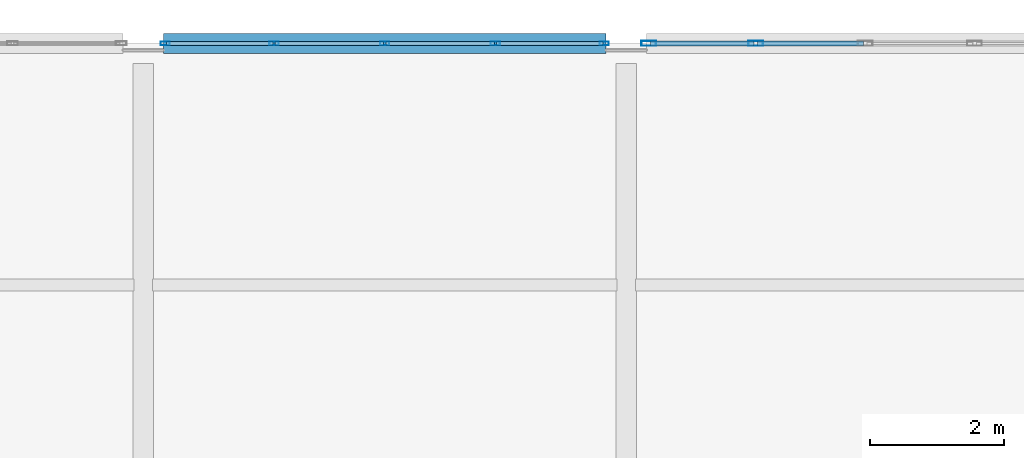
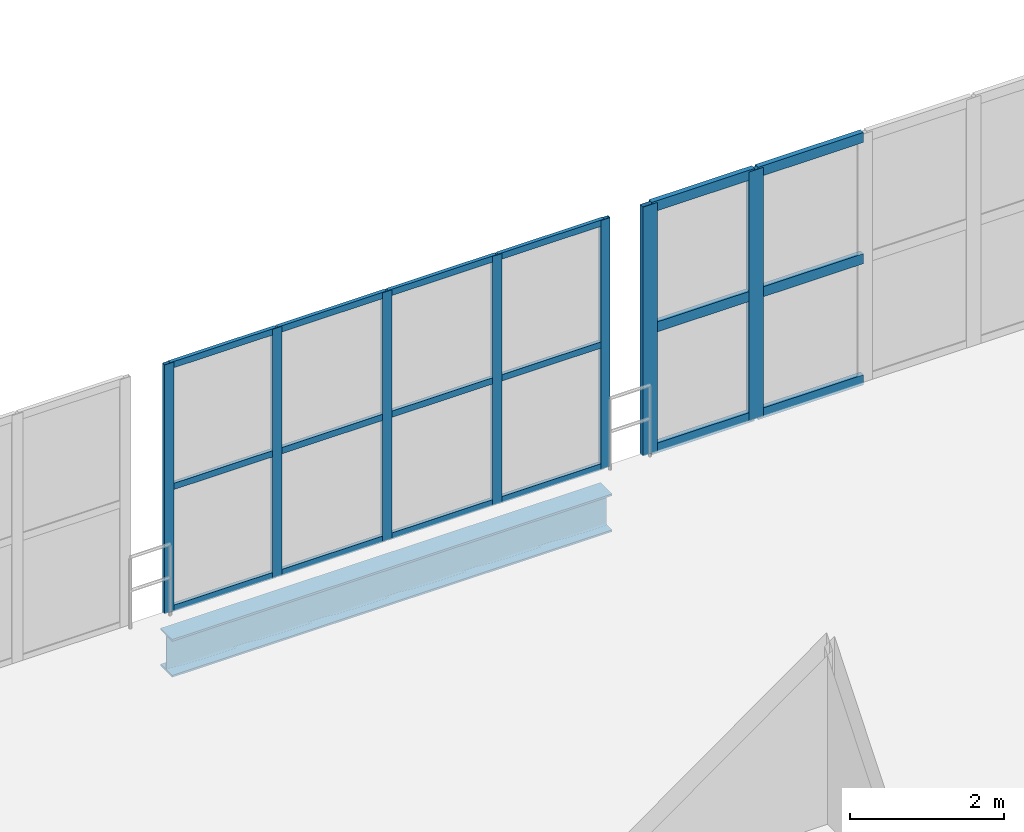
# One storey, part 110 of 153: 25 members, 1 beam, 2 elements without a shape of their own.
"""IFC4 building model written with IfcOpenShell, lengths in metres."""

from ifc_helpers import new_model, si_unit, direction, frame, origin, origin_2d, place, context, subcontext, project, spatial, hollow_rectangle, i_section, extrude, material, material_profile, profile_set, type_object, element, aggregate, save


model = new_model("IFC4")

# Units and contexts
model_context = context("Model", 3, precision=1e-05, world=origin(), true_north=direction((0.0, 1.0)))
body_context = subcontext(model_context, "Body", "Model", "MODEL_VIEW")
ifc_project = project(units=[si_unit("LENGTHUNIT", "METRE"), si_unit("AREAUNIT", "SQUARE_METRE"), si_unit("VOLUMEUNIT", "CUBIC_METRE"), si_unit("PLANEANGLEUNIT", "RADIAN"), si_unit("MASSUNIT", "GRAM", prefix="KILO")], contexts=[model_context])

# Site, building, storey
site_placement = place(None, origin())
site = spatial("IfcSite", under=ifc_project, at=site_placement, CompositionType="ELEMENT")
building_placement = place(site_placement, origin())
building = spatial("IfcBuilding", under=site, at=building_placement, Name="Qandorah Velis Arena", CompositionType="ELEMENT")
storey_placement = place(building_placement, frame((0.0, 0.0, 5.39990234375)))
storey = spatial("IfcBuildingStorey", under=building, at=storey_placement, Name="L01", CompositionType="ELEMENT", Elevation=5.39990234375)

# Curtain wall, members
ifc_material_1 = material(Name="Solar-control low-E double glazing", Category="glass")
curtain_wall_type_1 = type_object("IfcCurtainWallType", Name="ARC-CW-SYS08", PredefinedType="USERDEFINED", material=ifc_material_1)
curtain_wall_1_placement = place(storey_placement, origin())
curtain_wall_1 = element("IfcCurtainWall", 1, at=curtain_wall_1_placement, inside=storey, type_object=curtain_wall_type_1, Name="Unitised curtain wall L01-080", ObjectType="UNITISED CURTAIN WALL", PredefinedType="USERDEFINED")
ifc_material_2 = material(Name="Champagne-bronze anodized aluminium 6063-T6", Category="aluminium")
ifc_material_profile_1 = material_profile(ifc_material_2, hollow_rectangle(XDim=0.054931640625, YDim=0.139892578125, WallThickness=0.0029296875, at=origin_2d()), Name="ALU MULLION 55x140")
ifc_profile_set_1 = profile_set([ifc_material_profile_1], Name="Champagne-bronze anodized aluminium 6063-T6")
member_type_1 = type_object("IfcMemberType", Name="ARC-CWM-140", PredefinedType="MULLION", material=ifc_profile_set_1)
member_1_placement = place(storey_placement, frame((14.7275390625, 129.60009765625, -0.014892578125), z_axis=(0.0, 0.0, 1.0), x_axis=(0.0, 1.0, 0.0)))
member_1 = element("IfcMember", 2, at=member_1_placement, type_object=member_type_1, Name="CW08 mullion 1", PredefinedType="MULLION", context=body_context, shape_type="SweptSolid", body=[
    extrude(hollow_rectangle(XDim=0.054931640625, YDim=0.139892578125, WallThickness=0.0029296875, at=origin_2d()), origin(), (0.0, 0.0, 1.0), 3.949951171875),
])
member_2_placement = place(storey_placement, frame((16.35009765625, 129.60009765625, -0.014892578125), z_axis=(0.0, 0.0, 1.0), x_axis=(0.0, 1.0, 0.0)))
member_2 = element("IfcMember", 3, at=member_2_placement, type_object=member_type_1, Name="CW08 mullion 2", PredefinedType="MULLION", context=body_context, shape_type="SweptSolid", body=[
    extrude(hollow_rectangle(XDim=0.054931640625, YDim=0.139892578125, WallThickness=0.0029296875, at=origin_2d()), origin(), (0.0, 0.0, 1.0), 3.949951171875),
])
member_3_placement = place(storey_placement, frame((18.0, 129.60009765625, -0.014892578125), z_axis=(0.0, 0.0, 1.0), x_axis=(0.0, 1.0, 0.0)))
member_3 = element("IfcMember", 4, at=member_3_placement, type_object=member_type_1, Name="CW08 mullion 3", PredefinedType="MULLION", context=body_context, shape_type="SweptSolid", body=[
    extrude(hollow_rectangle(XDim=0.054931640625, YDim=0.139892578125, WallThickness=0.0029296875, at=origin_2d()), origin(), (0.0, 0.0, 1.0), 3.949951171875),
])
member_4_placement = place(storey_placement, frame((19.64990234375, 129.60009765625, -0.014892578125), z_axis=(0.0, 0.0, 1.0), x_axis=(0.0, 1.0, 0.0)))
member_4 = element("IfcMember", 5, at=member_4_placement, type_object=member_type_1, Name="CW08 mullion 4", PredefinedType="MULLION", context=body_context, shape_type="SweptSolid", body=[
    extrude(hollow_rectangle(XDim=0.054931640625, YDim=0.139892578125, WallThickness=0.0029296875, at=origin_2d()), origin(), (0.0, 0.0, 1.0), 3.949951171875),
])
member_5_placement = place(storey_placement, frame((21.2724609375, 129.60009765625, -0.014892578125), z_axis=(0.0, 0.0, 1.0), x_axis=(0.0, 1.0, 0.0)))
member_5 = element("IfcMember", 6, at=member_5_placement, type_object=member_type_1, Name="CW08 mullion 5", PredefinedType="MULLION", context=body_context, shape_type="SweptSolid", body=[
    extrude(hollow_rectangle(XDim=0.054931640625, YDim=0.139892578125, WallThickness=0.0029296875, at=origin_2d()), origin(), (0.0, 0.0, 1.0), 3.949951171875),
])

curtain_wall_type_2 = type_object("IfcCurtainWallType", Name="ARC-CW-SYS09", PredefinedType="USERDEFINED", material=ifc_material_1)
curtain_wall_2_placement = place(storey_placement, origin())
curtain_wall_2 = element("IfcCurtainWall", 7, at=curtain_wall_2_placement, inside=storey, type_object=curtain_wall_type_2, Name="Unitised curtain wall L01-081", ObjectType="UNITISED CURTAIN WALL", PredefinedType="USERDEFINED")
ifc_material_profile_2 = material_profile(ifc_material_2, hollow_rectangle(XDim=0.074951171875, YDim=0.219970703125, WallThickness=0.00390625, at=origin_2d()), Name="ALU MULLION 75x220")
ifc_profile_set_2 = profile_set([ifc_material_profile_2], Name="Champagne-bronze anodized aluminium 6063-T6")
member_type_2 = type_object("IfcMemberType", Name="ARC-CWM-220", PredefinedType="MULLION", material=ifc_profile_set_2)
member_6_placement = place(storey_placement, frame((21.9375, 129.60009765625, -0.014892578125), z_axis=(0.0, 0.0, 1.0), x_axis=(0.0, 1.0, 0.0)))
member_6 = element("IfcMember", 8, at=member_6_placement, type_object=member_type_2, Name="CW09 mullion 1", PredefinedType="MULLION", context=body_context, shape_type="SweptSolid", body=[
    extrude(hollow_rectangle(XDim=0.074951171875, YDim=0.219970703125, WallThickness=0.00390625, at=origin_2d()), origin(), (0.0, 0.0, 1.0), 3.949951171875),
])
member_7_placement = place(storey_placement, frame((23.53125, 129.60009765625, -0.014892578125), z_axis=(0.0, 0.0, 1.0), x_axis=(0.0, 1.0, 0.0)))
member_7 = element("IfcMember", 9, at=member_7_placement, type_object=member_type_2, Name="CW09 mullion 2", PredefinedType="MULLION", context=body_context, shape_type="SweptSolid", body=[
    extrude(hollow_rectangle(XDim=0.074951171875, YDim=0.219970703125, WallThickness=0.00390625, at=origin_2d()), origin(), (0.0, 0.0, 1.0), 3.949951171875),
])

# Member
ifc_material_profile_3 = material_profile(ifc_material_2, hollow_rectangle(XDim=0.054931640625, YDim=0.10009765625, WallThickness=0.0029296875, at=origin_2d()), Name="ALU TRANSOM 55x100")
ifc_profile_set_3 = profile_set([ifc_material_profile_3], Name="Champagne-bronze anodized aluminium 6063-T6")
member_type_3 = type_object("IfcMemberType", Name="ARC-CWT-100", PredefinedType="USERDEFINED", material=ifc_profile_set_3)
member_8_placement = place(storey_placement, frame((14.742919921875, 129.60009765625, 0.027587890625), z_axis=(1.0, 0.0, 0.0), x_axis=(0.0, 1.0, 0.0)))
member_8 = element("IfcMember", 10, at=member_8_placement, type_object=member_type_3, Name="CW08 transom 1.1", ObjectType="TRANSOM", PredefinedType="USERDEFINED", context=body_context, shape_type="SweptSolid", body=[
    extrude(hollow_rectangle(XDim=0.054931640625, YDim=0.10009765625, WallThickness=0.0029296875, at=origin_2d()), origin(), (0.0, 0.0, 1.0), 1.591552734375),
])

member_9_placement = place(storey_placement, frame((14.742919921875, 129.60009765625, 1.960205078125), z_axis=(1.0, 0.0, 0.0), x_axis=(0.0, 1.0, 0.0)))
member_9 = element("IfcMember", 11, at=member_9_placement, type_object=member_type_3, Name="CW08 transom 1.2", ObjectType="TRANSOM", PredefinedType="USERDEFINED", context=body_context, shape_type="SweptSolid", body=[
    extrude(hollow_rectangle(XDim=0.054931640625, YDim=0.10009765625, WallThickness=0.0029296875, at=origin_2d()), origin(), (0.0, 0.0, 1.0), 1.591552734375),
])

member_10_placement = place(storey_placement, frame((14.742919921875, 129.60009765625, 3.892578125), z_axis=(1.0, 0.0, 0.0), x_axis=(0.0, 1.0, 0.0)))
member_10 = element("IfcMember", 12, at=member_10_placement, type_object=member_type_3, Name="CW08 transom 1.3", ObjectType="TRANSOM", PredefinedType="USERDEFINED", context=body_context, shape_type="SweptSolid", body=[
    extrude(hollow_rectangle(XDim=0.054931640625, YDim=0.10009765625, WallThickness=0.0029296875, at=origin_2d()), origin(), (0.0, 0.0, 1.0), 1.591552734375),
])

member_11_placement = place(storey_placement, frame((16.365478515625, 129.60009765625, 0.027587890625), z_axis=(1.0, 0.0, 0.0), x_axis=(0.0, 1.0, 0.0)))
member_11 = element("IfcMember", 13, at=member_11_placement, type_object=member_type_3, Name="CW08 transom 2.1", ObjectType="TRANSOM", PredefinedType="USERDEFINED", context=body_context, shape_type="SweptSolid", body=[
    extrude(hollow_rectangle(XDim=0.054931640625, YDim=0.10009765625, WallThickness=0.0029296875, at=origin_2d()), origin(), (0.0, 0.0, 1.0), 1.619140625),
])

member_12_placement = place(storey_placement, frame((16.365478515625, 129.60009765625, 1.960205078125), z_axis=(1.0, 0.0, 0.0), x_axis=(0.0, 1.0, 0.0)))
member_12 = element("IfcMember", 14, at=member_12_placement, type_object=member_type_3, Name="CW08 transom 2.2", ObjectType="TRANSOM", PredefinedType="USERDEFINED", context=body_context, shape_type="SweptSolid", body=[
    extrude(hollow_rectangle(XDim=0.054931640625, YDim=0.10009765625, WallThickness=0.0029296875, at=origin_2d()), origin(), (0.0, 0.0, 1.0), 1.619140625),
])

member_13_placement = place(storey_placement, frame((16.365478515625, 129.60009765625, 3.892578125), z_axis=(1.0, 0.0, 0.0), x_axis=(0.0, 1.0, 0.0)))
member_13 = element("IfcMember", 15, at=member_13_placement, type_object=member_type_3, Name="CW08 transom 2.3", ObjectType="TRANSOM", PredefinedType="USERDEFINED", context=body_context, shape_type="SweptSolid", body=[
    extrude(hollow_rectangle(XDim=0.054931640625, YDim=0.10009765625, WallThickness=0.0029296875, at=origin_2d()), origin(), (0.0, 0.0, 1.0), 1.619140625),
])

member_14_placement = place(storey_placement, frame((18.015380859375, 129.60009765625, 0.027587890625), z_axis=(1.0, 0.0, 0.0), x_axis=(0.0, 1.0, 0.0)))
member_14 = element("IfcMember", 16, at=member_14_placement, type_object=member_type_3, Name="CW08 transom 3.1", ObjectType="TRANSOM", PredefinedType="USERDEFINED", context=body_context, shape_type="SweptSolid", body=[
    extrude(hollow_rectangle(XDim=0.054931640625, YDim=0.10009765625, WallThickness=0.0029296875, at=origin_2d()), origin(), (0.0, 0.0, 1.0), 1.619140625),
])

member_15_placement = place(storey_placement, frame((18.015380859375, 129.60009765625, 1.960205078125), z_axis=(1.0, 0.0, 0.0), x_axis=(0.0, 1.0, 0.0)))
member_15 = element("IfcMember", 17, at=member_15_placement, type_object=member_type_3, Name="CW08 transom 3.2", ObjectType="TRANSOM", PredefinedType="USERDEFINED", context=body_context, shape_type="SweptSolid", body=[
    extrude(hollow_rectangle(XDim=0.054931640625, YDim=0.10009765625, WallThickness=0.0029296875, at=origin_2d()), origin(), (0.0, 0.0, 1.0), 1.619140625),
])

member_16_placement = place(storey_placement, frame((18.015380859375, 129.60009765625, 3.892578125), z_axis=(1.0, 0.0, 0.0), x_axis=(0.0, 1.0, 0.0)))
member_16 = element("IfcMember", 18, at=member_16_placement, type_object=member_type_3, Name="CW08 transom 3.3", ObjectType="TRANSOM", PredefinedType="USERDEFINED", context=body_context, shape_type="SweptSolid", body=[
    extrude(hollow_rectangle(XDim=0.054931640625, YDim=0.10009765625, WallThickness=0.0029296875, at=origin_2d()), origin(), (0.0, 0.0, 1.0), 1.619140625),
])

member_17_placement = place(storey_placement, frame((19.66552734375, 129.60009765625, 0.027587890625), z_axis=(1.0, 0.0, 0.0), x_axis=(0.0, 1.0, 0.0)))
member_17 = element("IfcMember", 19, at=member_17_placement, type_object=member_type_3, Name="CW08 transom 4.1", ObjectType="TRANSOM", PredefinedType="USERDEFINED", context=body_context, shape_type="SweptSolid", body=[
    extrude(hollow_rectangle(XDim=0.054931640625, YDim=0.10009765625, WallThickness=0.0029296875, at=origin_2d()), origin(), (0.0, 0.0, 1.0), 1.591552734375),
])

member_18_placement = place(storey_placement, frame((19.66552734375, 129.60009765625, 1.960205078125), z_axis=(1.0, 0.0, 0.0), x_axis=(0.0, 1.0, 0.0)))
member_18 = element("IfcMember", 20, at=member_18_placement, type_object=member_type_3, Name="CW08 transom 4.2", ObjectType="TRANSOM", PredefinedType="USERDEFINED", context=body_context, shape_type="SweptSolid", body=[
    extrude(hollow_rectangle(XDim=0.054931640625, YDim=0.10009765625, WallThickness=0.0029296875, at=origin_2d()), origin(), (0.0, 0.0, 1.0), 1.591552734375),
])

member_19_placement = place(storey_placement, frame((19.66552734375, 129.60009765625, 3.892578125), z_axis=(1.0, 0.0, 0.0), x_axis=(0.0, 1.0, 0.0)))
member_19 = element("IfcMember", 21, at=member_19_placement, type_object=member_type_3, Name="CW08 transom 4.3", ObjectType="TRANSOM", PredefinedType="USERDEFINED", context=body_context, shape_type="SweptSolid", body=[
    extrude(hollow_rectangle(XDim=0.054931640625, YDim=0.10009765625, WallThickness=0.0029296875, at=origin_2d()), origin(), (0.0, 0.0, 1.0), 1.591552734375),
])

aggregate(curtain_wall_1, [member_1, member_2, member_3, member_4, member_5, member_8, member_9, member_10, member_11, member_12, member_13, member_14, member_15, member_16, member_17, member_18, member_19])

ifc_material_profile_4 = material_profile(ifc_material_2, hollow_rectangle(XDim=0.074951171875, YDim=0.159912109375, WallThickness=0.00341796875, at=origin_2d()), Name="ALU TRANSOM 75x160")
ifc_profile_set_4 = profile_set([ifc_material_profile_4], Name="Champagne-bronze anodized aluminium 6063-T6")
member_type_4 = type_object("IfcMemberType", Name="ARC-CWT-160", PredefinedType="USERDEFINED", material=ifc_profile_set_4)
member_20_placement = place(storey_placement, frame((21.962890625, 129.60009765625, 0.03759765625), z_axis=(1.0, 0.0, 0.0), x_axis=(0.0, 1.0, 0.0)))
member_20 = element("IfcMember", 22, at=member_20_placement, type_object=member_type_4, Name="CW09 transom 1.1", ObjectType="TRANSOM", PredefinedType="USERDEFINED", context=body_context, shape_type="SweptSolid", body=[
    extrude(hollow_rectangle(XDim=0.074951171875, YDim=0.159912109375, WallThickness=0.00341796875, at=origin_2d()), origin(), (0.0, 0.0, 1.0), 1.542724609375),
])

member_21_placement = place(storey_placement, frame((21.962890625, 129.60009765625, 1.960205078125), z_axis=(1.0, 0.0, 0.0), x_axis=(0.0, 1.0, 0.0)))
member_21 = element("IfcMember", 23, at=member_21_placement, type_object=member_type_4, Name="CW09 transom 1.2", ObjectType="TRANSOM", PredefinedType="USERDEFINED", context=body_context, shape_type="SweptSolid", body=[
    extrude(hollow_rectangle(XDim=0.074951171875, YDim=0.159912109375, WallThickness=0.00341796875, at=origin_2d()), origin(), (0.0, 0.0, 1.0), 1.542724609375),
])

member_22_placement = place(storey_placement, frame((21.962890625, 129.60009765625, 3.882568359375), z_axis=(1.0, 0.0, 0.0), x_axis=(0.0, 1.0, 0.0)))
member_22 = element("IfcMember", 24, at=member_22_placement, type_object=member_type_4, Name="CW09 transom 1.3", ObjectType="TRANSOM", PredefinedType="USERDEFINED", context=body_context, shape_type="SweptSolid", body=[
    extrude(hollow_rectangle(XDim=0.074951171875, YDim=0.159912109375, WallThickness=0.00341796875, at=origin_2d()), origin(), (0.0, 0.0, 1.0), 1.542724609375),
])

member_23_placement = place(storey_placement, frame((23.556640625, 129.60009765625, 0.03759765625), z_axis=(1.0, 0.0, 0.0), x_axis=(0.0, 1.0, 0.0)))
member_23 = element("IfcMember", 25, at=member_23_placement, type_object=member_type_4, Name="CW09 transom 2.1", ObjectType="TRANSOM", PredefinedType="USERDEFINED", context=body_context, shape_type="SweptSolid", body=[
    extrude(hollow_rectangle(XDim=0.074951171875, YDim=0.159912109375, WallThickness=0.00341796875, at=origin_2d()), origin(), (0.0, 0.0, 1.0), 1.580322265625),
])

member_24_placement = place(storey_placement, frame((23.556640625, 129.60009765625, 1.960205078125), z_axis=(1.0, 0.0, 0.0), x_axis=(0.0, 1.0, 0.0)))
member_24 = element("IfcMember", 26, at=member_24_placement, type_object=member_type_4, Name="CW09 transom 2.2", ObjectType="TRANSOM", PredefinedType="USERDEFINED", context=body_context, shape_type="SweptSolid", body=[
    extrude(hollow_rectangle(XDim=0.074951171875, YDim=0.159912109375, WallThickness=0.00341796875, at=origin_2d()), origin(), (0.0, 0.0, 1.0), 1.580322265625),
])

member_25_placement = place(storey_placement, frame((23.556640625, 129.60009765625, 3.882568359375), z_axis=(1.0, 0.0, 0.0), x_axis=(0.0, 1.0, 0.0)))
member_25 = element("IfcMember", 27, at=member_25_placement, type_object=member_type_4, Name="CW09 transom 2.3", ObjectType="TRANSOM", PredefinedType="USERDEFINED", context=body_context, shape_type="SweptSolid", body=[
    extrude(hollow_rectangle(XDim=0.074951171875, YDim=0.159912109375, WallThickness=0.00341796875, at=origin_2d()), origin(), (0.0, 0.0, 1.0), 1.580322265625),
])

aggregate(curtain_wall_2, [member_6, member_7, member_20, member_21, member_22, member_23, member_24, member_25])

# Beam
ifc_material_3 = material(Name="Steel S355", Category="steel")
ifc_material_profile_5 = material_profile(ifc_material_3, i_section(OverallWidth=0.300048828125, OverallDepth=0.60009765625, WebThickness=0.015380859375, FlangeThickness=0.030029296875, FilletRadius=0.027099609375, at=origin_2d()), Name="HEB 600")
ifc_profile_set_5 = profile_set([ifc_material_profile_5], Name="Steel S355")
beam_type = type_object("IfcBeamType", Name="STR-BM-HEB600", PredefinedType="BEAM", material=ifc_profile_set_5)
beam_placement = place(storey_placement, frame((14.699951171875, 129.60009765625, -0.659912109375), z_axis=(1.0, 0.0, 0.0), x_axis=(0.0, 1.0, 0.0)))
element("IfcBeam", 28, at=beam_placement, inside=storey, type_object=beam_type, Name="Primary floor girder L01 X-206", PredefinedType="BEAM", context=body_context, shape_type="SweptSolid", body=[
    extrude(i_section(OverallWidth=0.300048828125, OverallDepth=0.60009765625, WebThickness=0.015380859375, FlangeThickness=0.030029296875, FilletRadius=0.027099609375, at=origin_2d()), origin(), (0.0, 0.0, 1.0), 6.60009765625),
])

save(model, "model.ifc")
